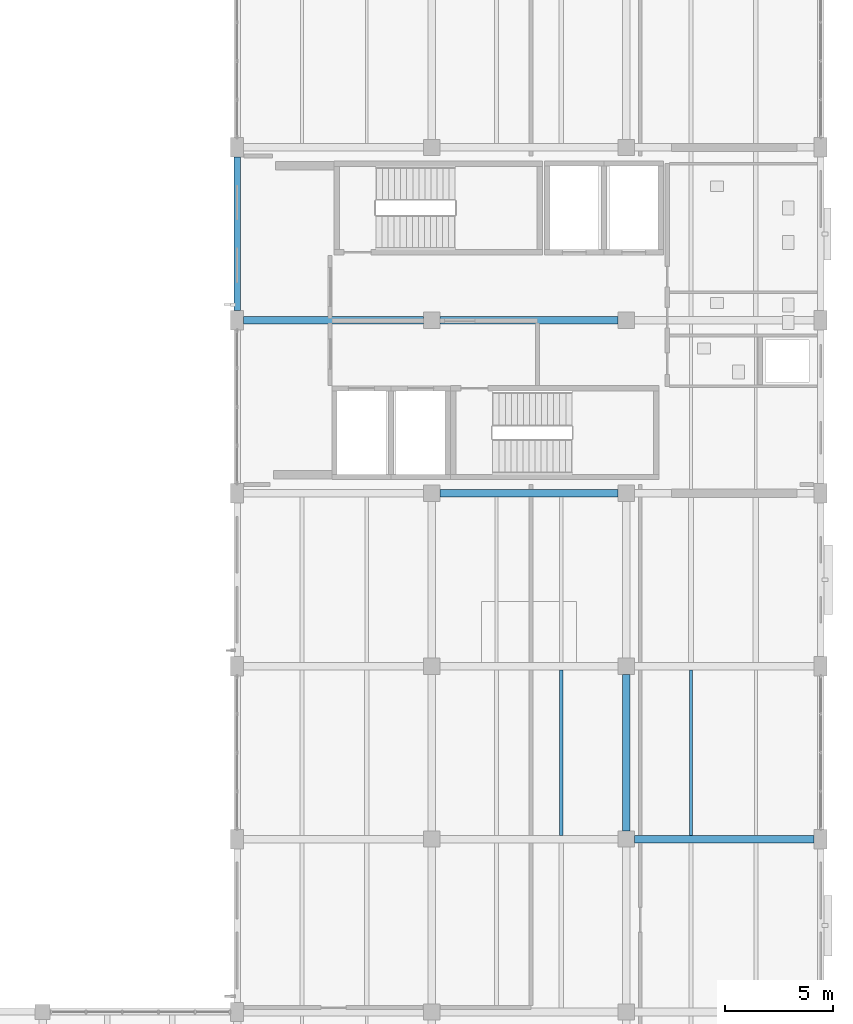
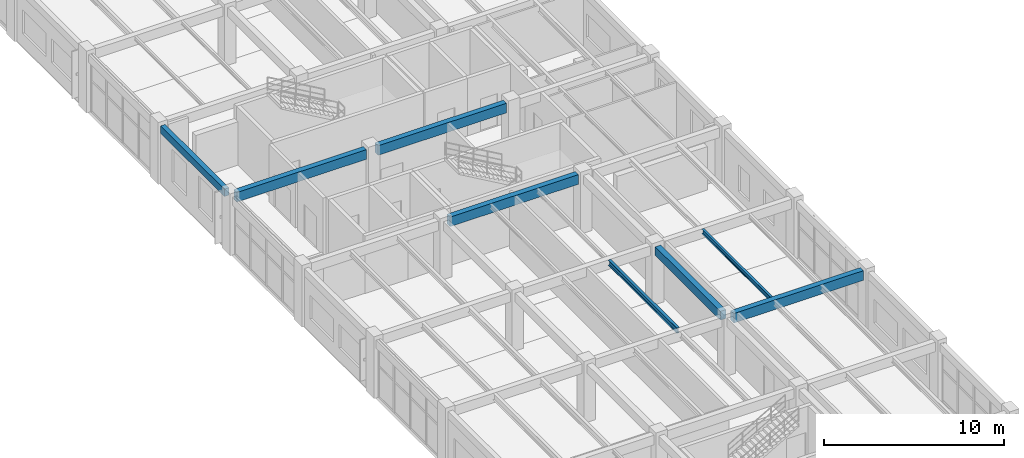
# One storey, part 80 of 128: 8 beams.
"""IFC4 building model written with IfcOpenShell, lengths in metres."""

from ifc_helpers import new_model, si_unit, derived_unit, direction, frame, origin, origin_2d, place, context, subcontext, project, spatial, rectangle, i_section, extrude, material, material_profile, profile_set, type_object, element, save


model = new_model("IFC4")

# Units and contexts
model_context = context("Model", 3, precision=1e-05, world=origin(), true_north=direction((0.0, 1.0)))
body_context = subcontext(model_context, "Body", "Model", "MODEL_VIEW")
ifc_project = project(units=[si_unit("LENGTHUNIT", "METRE"), si_unit("AREAUNIT", "SQUARE_METRE"), si_unit("VOLUMEUNIT", "CUBIC_METRE"), si_unit("PLANEANGLEUNIT", "RADIAN"), si_unit("MASSUNIT", "GRAM", prefix="KILO"), derived_unit("THERMALTRANSMITTANCEUNIT", [(si_unit("MASSUNIT", "GRAM", prefix="KILO"), 1), (si_unit("TIMEUNIT", "SECOND"), -3), (si_unit("THERMODYNAMICTEMPERATUREUNIT", "KELVIN"), -1)])], contexts=[model_context])

# Site, building, storey
site_placement = place(None, origin())
site = spatial("IfcSite", under=ifc_project, at=site_placement, CompositionType="ELEMENT")
building_placement = place(site_placement, origin())
building = spatial("IfcBuilding", under=site, at=building_placement, Name="Zhenchuan Archway Interchange", CompositionType="ELEMENT")
storey_placement = place(building_placement, frame((0.0, 0.0, 14.39990234375)))
storey = spatial("IfcBuildingStorey", under=building, at=storey_placement, Name="L03", CompositionType="ELEMENT", Elevation=14.39990234375)

# Beams
ifc_material_1 = material(Name="Concrete C40", Category="concrete")
ifc_material_profile_1 = material_profile(ifc_material_1, rectangle(XDim=0.35009765625, YDim=0.60009765625, at=origin_2d()), Name="RC 350x600")
ifc_profile_set_1 = profile_set([ifc_material_profile_1], Name="Concrete C40")
beam_type_1 = type_object("IfcBeamType", Name="BM_RC_350x600", PredefinedType="BEAM", material=ifc_profile_set_1)
beam_1_placement = place(storey_placement, frame((162.0, 32.375, 3.630126953125), z_axis=(0.0, 1.0, 0.0), x_axis=(-1.0, 0.0, 0.0)))
element("IfcBeam", 1, at=beam_1_placement, inside=storey, type_object=beam_type_1, Name="Beam 19:E-F (L03)", PredefinedType="BEAM", context=body_context, shape_type="SweptSolid", body=[
    extrude(rectangle(XDim=0.35009765625, YDim=0.60009765625, at=origin_2d()), origin(), (0.0, 0.0, 1.0), 7.25),
])
ifc_material_profile_2 = material_profile(ifc_material_1, rectangle(XDim=0.35009765625, YDim=0.64990234375, at=origin_2d()), Name="RC 350x650")
ifc_profile_set_2 = profile_set([ifc_material_profile_2], Name="Concrete C40")
beam_type_2 = type_object("IfcBeamType", Name="BM_RC_350x650", PredefinedType="BEAM", material=ifc_profile_set_2)
beam_2_placement = place(storey_placement, frame((162.375, 32.0, 3.60498046875), z_axis=(1.0, 0.0, 0.0), x_axis=(0.0, 1.0, 0.0)))
element("IfcBeam", 2, at=beam_2_placement, inside=storey, type_object=beam_type_2, Name="Beam E:19-20 (L03)", PredefinedType="BEAM", context=body_context, shape_type="SweptSolid", body=[
    extrude(rectangle(XDim=0.35009765625, YDim=0.64990234375, at=origin_2d()), origin(), (0.0, 0.0, 1.0), 8.324951171875),
])
beam_3_placement = place(storey_placement, frame((153.375, 48.0, 3.60498046875), z_axis=(1.0, 0.0, 0.0), x_axis=(0.0, 1.0, 0.0)))
element("IfcBeam", 3, at=beam_3_placement, inside=storey, type_object=beam_type_2, Name="Beam G:18-19 (L03)", PredefinedType="BEAM", context=body_context, shape_type="SweptSolid", body=[
    extrude(rectangle(XDim=0.35009765625, YDim=0.64990234375, at=origin_2d()), origin(), (0.0, 0.0, 1.0), 8.25),
])
beam_4_placement = place(storey_placement, frame((144.300048828125, 56.0, 3.60498046875), z_axis=(1.0, 0.0, 0.0), x_axis=(0.0, 1.0, 0.0)))
element("IfcBeam", 4, at=beam_4_placement, inside=storey, type_object=beam_type_2, Name="Beam H:17-18 (L03)", PredefinedType="BEAM", context=body_context, shape_type="SweptSolid", body=[
    extrude(rectangle(XDim=0.35009765625, YDim=0.64990234375, at=origin_2d()), origin(), (0.0, 0.0, 1.0), 8.324951171875),
])
beam_5_placement = place(storey_placement, frame((153.375, 56.0, 3.60498046875), z_axis=(1.0, 0.0, 0.0), x_axis=(0.0, 1.0, 0.0)))
element("IfcBeam", 5, at=beam_5_placement, inside=storey, type_object=beam_type_2, Name="Beam H:18-19 (L03)", PredefinedType="BEAM", context=body_context, shape_type="SweptSolid", body=[
    extrude(rectangle(XDim=0.35009765625, YDim=0.64990234375, at=origin_2d()), origin(), (0.0, 0.0, 1.0), 8.25),
])
ifc_material_2 = material(Name="Steel Q355", Category="steel")
ifc_material_profile_3 = material_profile(ifc_material_2, i_section(OverallWidth=0.14990234375, OverallDepth=0.300048828125, WebThickness=0.006591796875, FlangeThickness=0.009033203125, FilletRadius=0.012939453125, at=origin_2d()), Name="HN 300x150")
ifc_profile_set_3 = profile_set([ifc_material_profile_3], Name="Steel Q355")
beam_type_3 = type_object("IfcBeamType", Name="JST_STL_HN300", PredefinedType="JOIST", material=ifc_profile_set_3)
beam_6_placement = place(storey_placement, frame((165.0, 32.175048828125, 3.780029296875), z_axis=(0.0, 1.0, 0.0), x_axis=(-1.0, 0.0, 0.0)))
element("IfcBeam", 6, at=beam_6_placement, inside=storey, type_object=beam_type_3, Name="Secondary joist 19-20/E-F #1 (L03)", PredefinedType="JOIST", context=body_context, shape_type="SweptSolid", body=[
    extrude(i_section(OverallWidth=0.14990234375, OverallDepth=0.300048828125, WebThickness=0.006591796875, FlangeThickness=0.009033203125, FilletRadius=0.012939453125, at=origin_2d()), origin(), (0.0, 0.0, 1.0), 7.64990234375),
])
ifc_material_profile_4 = material_profile(ifc_material_2, i_section(OverallWidth=0.175048828125, OverallDepth=0.35009765625, WebThickness=0.007080078125, FlangeThickness=0.010986328125, FilletRadius=0.013916015625, at=origin_2d()), Name="HN 350x175")
ifc_profile_set_4 = profile_set([ifc_material_profile_4], Name="Steel Q355")
beam_type_4 = type_object("IfcBeamType", Name="JST_STL_HN350", PredefinedType="JOIST", material=ifc_profile_set_4)
beam_7_placement = place(storey_placement, frame((159.0, 32.175048828125, 3.755126953125), z_axis=(0.0, 1.0, 0.0), x_axis=(-1.0, 0.0, 0.0)))
element("IfcBeam", 7, at=beam_7_placement, inside=storey, type_object=beam_type_4, Name="Secondary joist 18-19/E-F #2 (L03)", PredefinedType="JOIST", context=body_context, shape_type="SweptSolid", body=[
    extrude(i_section(OverallWidth=0.175048828125, OverallDepth=0.35009765625, WebThickness=0.007080078125, FlangeThickness=0.010986328125, FilletRadius=0.013916015625, at=origin_2d()), origin(), (0.0, 0.0, 1.0), 7.64990234375),
])
ifc_material_profile_5 = material_profile(ifc_material_1, rectangle(XDim=0.300048828125, YDim=0.5, at=origin_2d()), Name="RC 300x500")
ifc_profile_set_5 = profile_set([ifc_material_profile_5], Name="Concrete C40")
beam_type_5 = type_object("IfcBeamType", Name="SP_RC_300x500", PredefinedType="SPANDREL", material=ifc_profile_set_5)
beam_8_placement = place(storey_placement, frame((144.0, 56.449951171875, 3.68017578125), z_axis=(0.0, 1.0, 0.0), x_axis=(-1.0, 0.0, 0.0)))
element("IfcBeam", 8, at=beam_8_placement, inside=storey, type_object=beam_type_5, Name="Beam 17:H-J (L03)", PredefinedType="SPANDREL", context=body_context, shape_type="SweptSolid", body=[
    extrude(rectangle(XDim=0.300048828125, YDim=0.5, at=origin_2d()), origin(), (0.0, 0.0, 1.0), 7.10009765625),
])

save(model, "model.ifc")
